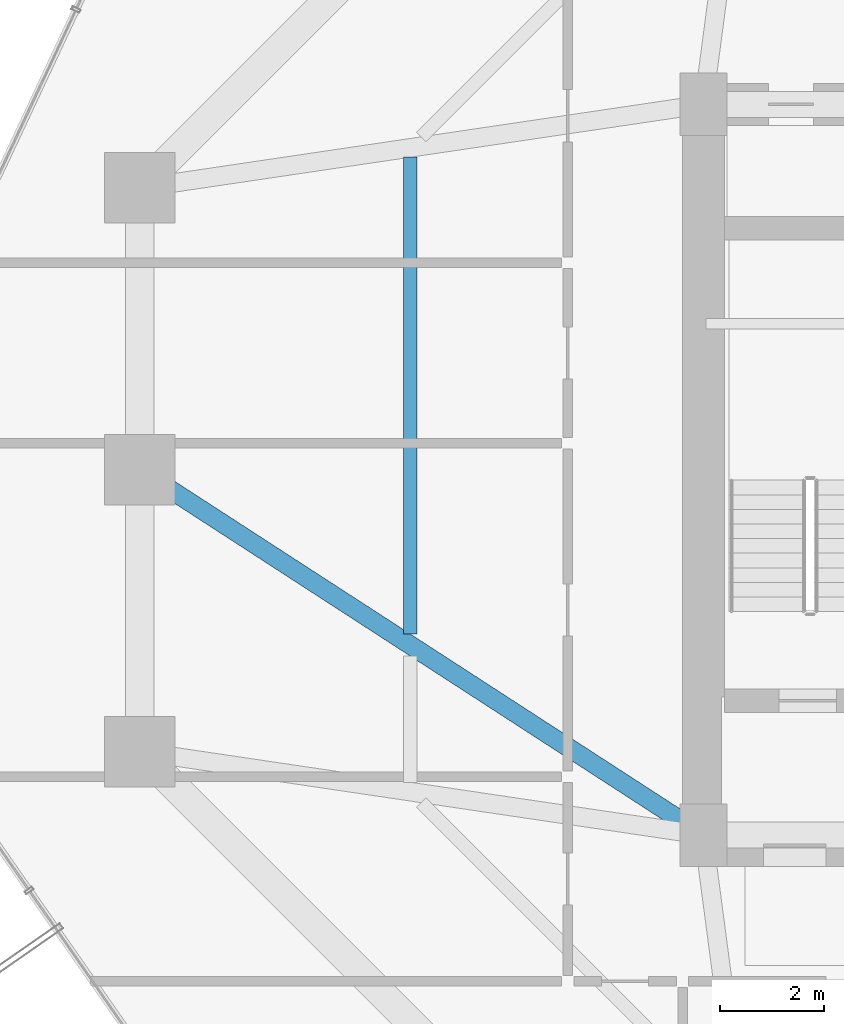
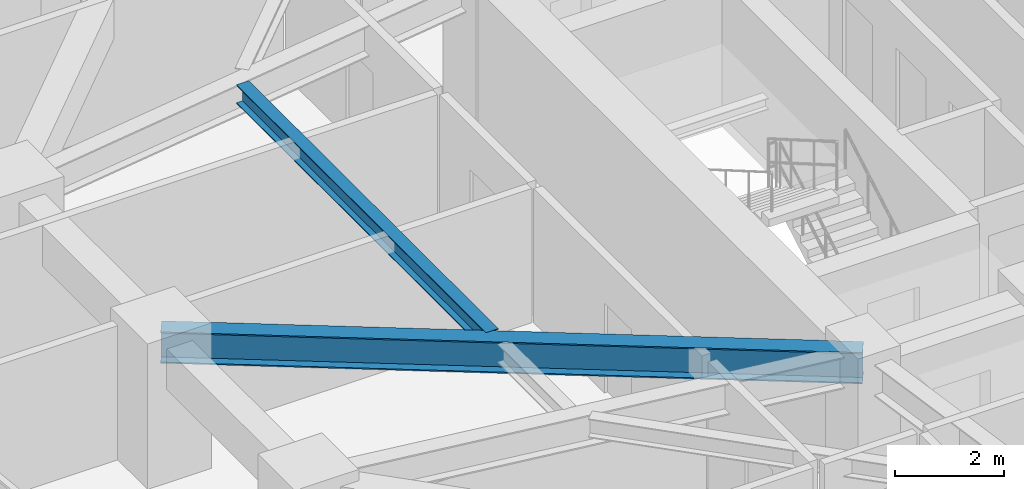
# One storey, part 11 of 37: 2 beams.
"""IFC4 building model written with IfcOpenShell, lengths in metres."""

from ifc_helpers import new_model, si_unit, direction, frame, origin, origin_2d, place, context, subcontext, project, spatial, i_section, extrude, material, material_profile, profile_set, type_object, element, save


model = new_model("IFC4")

# Units and contexts
model_context = context("Model", 3, precision=1e-05, world=origin(), true_north=direction((0.0, 1.0)))
body_context = subcontext(model_context, "Body", "Model", "MODEL_VIEW")
ifc_project = project(units=[si_unit("LENGTHUNIT", "METRE"), si_unit("AREAUNIT", "SQUARE_METRE"), si_unit("VOLUMEUNIT", "CUBIC_METRE"), si_unit("PLANEANGLEUNIT", "RADIAN"), si_unit("MASSUNIT", "GRAM", prefix="KILO")], contexts=[model_context])

# Site, building, storey
site_placement = place(None, origin())
site = spatial("IfcSite", under=ifc_project, at=site_placement, CompositionType="ELEMENT")
building_placement = place(site_placement, origin())
building = spatial("IfcBuilding", under=site, at=building_placement, Name="Veraguas Prism Commons", CompositionType="ELEMENT")
storey_placement = place(building_placement, frame((0.0, 0.0, 40.300048828125)))
storey = spatial("IfcBuildingStorey", under=building, at=storey_placement, Name="L10", CompositionType="ELEMENT", Elevation=40.300048828125)

# Beams
ifc_material = material(Name="Steel ASTM A992 Grade 50", Category="steel")
ifc_material_profile_1 = material_profile(ifc_material, i_section(OverallWidth=0.260986328125, OverallDepth=0.419921875, WebThickness=0.01171875, FlangeThickness=0.019287109375, at=origin_2d()), Name="W410X114")
ifc_profile_set_1 = profile_set([ifc_material_profile_1], Name="Steel ASTM A992 Grade 50")
beam_type_1 = type_object("IfcBeamType", Name="Lower Floor Joist W410x114", PredefinedType="JOIST", material=ifc_profile_set_1)
beam_1_placement = place(storey_placement, frame((11.583984375, 29.989990234375, 2.7900390625), z_axis=(0.0, -1.0, 0.0), x_axis=(1.0, 0.0, 0.0)))
element("IfcBeam", 1, at=beam_1_placement, inside=storey, type_object=beam_type_1, Name="Composite Floor Joist L10-JS07", PredefinedType="JOIST", context=body_context, shape_type="SweptSolid", body=[
    extrude(i_section(OverallWidth=0.260986328125, OverallDepth=0.419921875, WebThickness=0.01171875, FlangeThickness=0.019287109375, at=origin_2d()), origin(), (0.0, 0.0, 1.0), 9.140380859375),
])
ifc_material_profile_2 = material_profile(ifc_material, i_section(OverallWidth=0.35595703125, OverallDepth=0.700927734375, WebThickness=0.016845703125, FlangeThickness=0.02734375, at=origin_2d()), Name="W690X240")
ifc_profile_set_2 = profile_set([ifc_material_profile_2], Name="Steel ASTM A992 Grade 50")
beam_type_2 = type_object("IfcBeamType", Name="Zone 1 Radial Girder W690x240", PredefinedType="BEAM", material=ifc_profile_set_2)
beam_2_placement = place(storey_placement, frame((6.39990234375, 24.0, 2.6494140625), z_axis=(0.839154108875, -0.543893722668, 0.0), x_axis=(0.543893722668, 0.839154108875, 0.0)))
element("IfcBeam", 2, at=beam_2_placement, inside=storey, type_object=beam_type_2, Name="Radial Floor Girder L10-RD08", PredefinedType="BEAM", context=body_context, shape_type="SweptSolid", body=[
    extrude(i_section(OverallWidth=0.35595703125, OverallDepth=0.700927734375, WebThickness=0.016845703125, FlangeThickness=0.02734375, at=origin_2d()), origin(), (0.0, 0.0, 1.0), 12.8701171875),
])

save(model, "model.ifc")
